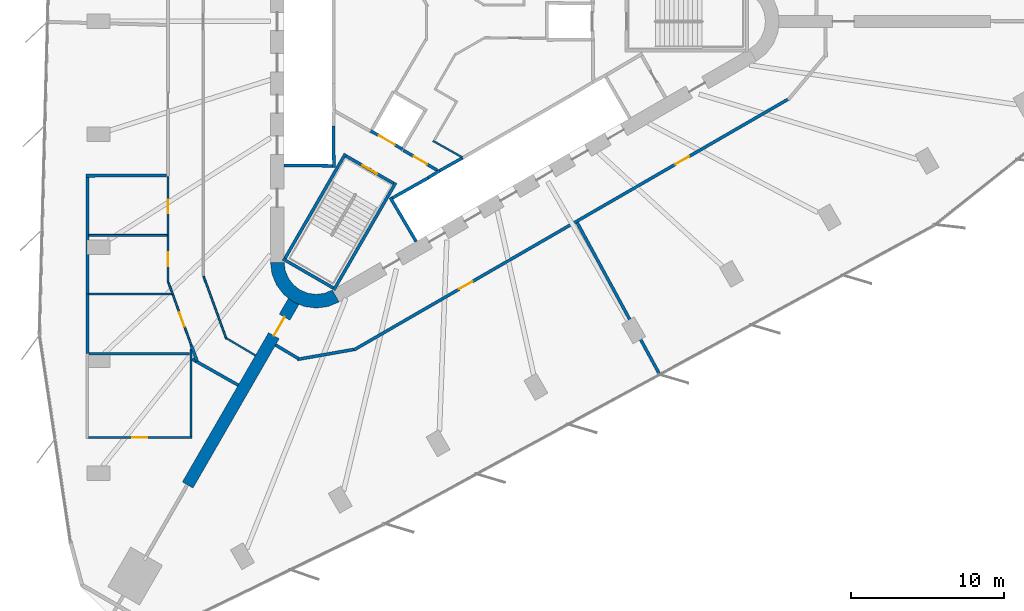
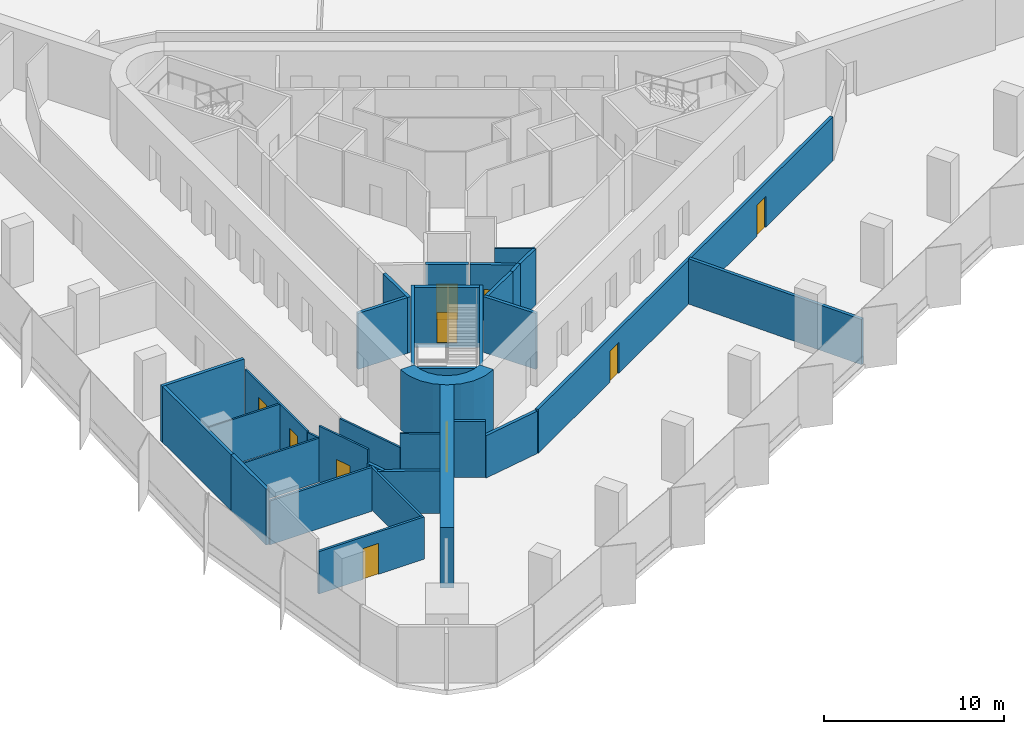
# One storey, part 8 of 13: 34 walls, 10 doors, 10 openings.
"""IFC4 building model written with IfcOpenShell, lengths in metres."""

from ifc_helpers import new_model, si_unit, direction, frame, frame_2d, origin, place, context, subcontext, project, spatial, polyline, rectangle, outline, extrude, material, layer, layer_set, type_object, element, fill, save


model = new_model("IFC4")

# Units and contexts
model_context = context("Model", 3, precision=1e-05, world=origin(), true_north=direction((0.0, 1.0)))
body_context = subcontext(model_context, "Body", "Model", "MODEL_VIEW")
ifc_project = project(units=[si_unit("LENGTHUNIT", "METRE"), si_unit("AREAUNIT", "SQUARE_METRE"), si_unit("VOLUMEUNIT", "CUBIC_METRE"), si_unit("PLANEANGLEUNIT", "RADIAN"), si_unit("MASSUNIT", "GRAM", prefix="KILO")], contexts=[model_context])

# Site, building, storey
site_placement = place(None, origin())
site = spatial("IfcSite", under=ifc_project, at=site_placement, CompositionType="ELEMENT")
building_placement = place(site_placement, origin())
building = spatial("IfcBuilding", under=site, at=building_placement, Name="Tanit Gate Tower", CompositionType="ELEMENT")
storey_placement = place(building_placement, frame((0.0, 0.0, 57.800048828125)))
storey = spatial("IfcBuildingStorey", under=building, at=storey_placement, Name="L10", CompositionType="ELEMENT", Elevation=57.800048828125)

# Wall, opening, door
ifc_material_1 = material(Name="Concrete C60/75", Category="concrete")
ifc_layer_1 = layer(ifc_material_1, 0.800048828125)
ifc_layer_set_1 = layer_set([ifc_layer_1], Name="BUTTRESS FIN 800 C60/75")
wall_type_1 = type_object("IfcWallType", Name="BUTTRESS FIN 800 C60/75", PredefinedType="SHEAR", material=ifc_layer_set_1)
wall_1_placement = place(storey_placement, frame((-10.574951171875, -18.31640625, 0.0), z_axis=(0.0, 0.0, 1.0), x_axis=(-0.500001010139, -0.866024820579, 0.0)))
wall_1 = element("IfcWall", 1, at=wall_1_placement, inside=storey, type_object=wall_type_1, Name="BUTTRESS FIN", PredefinedType="SHEAR", context=body_context, shape_type="SweptSolid", body=[
    extrude(rectangle(XDim=13.8837890625, YDim=0.800048828125, at=frame_2d((6.94189453125, 0.0))), origin(), (0.0, 0.0, 1.0), 4.099853515625),
])
opening_1_placement = place(wall_1_placement, frame((1.199951171875, 0.0, 0.0)))
opening_1 = element("IfcOpeningElement", 2, at=opening_1_placement, cuts=wall_1, Name="Opening P14-S01-F-SW-1", PredefinedType="OPENING", context=body_context, shape_type="SweptSolid", body=[
    extrude(rectangle(XDim=1.39990234375, YDim=2.39990234375, at=frame_2d((0.699951171875, 1.199951171875))), frame((0.0, 0.41015625, 0.0), z_axis=(0.0, -1.0, 0.0), x_axis=(1.0, 0.0, 0.0)), (0.0, 0.0, 1.0), 0.820068359375),
])
ifc_material_2 = material(Name="Timber door leaf", Category="wood")
door_type_1 = type_object("IfcDoorType", Name="INT-DOOR-FIN-PAIR-1400", OperationType="NOTDEFINED", PredefinedType="NOTDEFINED", material=ifc_material_2)
door_1_placement = place(opening_1_placement, origin())
door_1 = element("IfcDoor", 3, at=door_1_placement, inside=storey, type_object=door_type_1, Name="Door P14-S01-F-SW-1", OperationType="DOUBLE_DOOR_SINGLE_SWING", OverallHeight=2.39990234375, OverallWidth=1.39990234375, PredefinedType="NOTDEFINED", context=body_context, shape_type="SweptSolid", body=[
    extrude(rectangle(XDim=1.39990234375, YDim=2.39990234375, at=frame_2d((0.699951171875, 1.199951171875))), frame((0.0, 0.02490234375, 0.0), z_axis=(0.0, -1.0, 0.0), x_axis=(1.0, 0.0, 0.0)), (0.0, 0.0, 1.0), 0.050048828125),
])
fill(opening_1, door_1)

# Wall
ifc_material_3 = material(Name="Concrete C60/75", Category="concrete")
ifc_layer_2 = layer(ifc_material_3, 0.89990234375)
ifc_layer_set_2 = layer_set([ifc_layer_2], Name="CORE WALL 900 C60/75")
wall_type_2 = type_object("IfcWallType", Name="CORE WALL 900 C60/75", PredefinedType="SHEAR", material=ifc_layer_set_2)
wall_2_placement = place(storey_placement, origin())
element("IfcWall", 4, at=wall_2_placement, inside=storey, type_object=wall_type_2, Name="CORE WALL CORNER", PredefinedType="SHEAR", context=body_context, shape_type="SweptSolid", body=[
    extrude(outline(polyline([(-12.10009765625, -15.76171875), (-11.997802734375, -16.5380859375), (-11.697998046875, -17.26171875), (-11.22119140625, -17.883056640625), (-10.60009765625, -18.359619140625), (-9.87646484375, -18.659423828125), (-9.10009765625, -18.76171875), (-8.323486328125, -18.659423828125), (-7.60009765625, -18.359619140625), (-8.050048828125, -17.580322265625), (-8.556396484375, -17.7900390625), (-9.10009765625, -17.86181640625), (-9.6435546875, -17.7900390625), (-10.14990234375, -17.580322265625), (-10.5849609375, -17.24658203125), (-10.918701171875, -16.811767578125), (-11.12841796875, -16.30517578125), (-11.199951171875, -15.76171875), (-12.10009765625, -15.76171875)])), origin(), (0.0, 0.0, 1.0), 4.099853515625),
])

# Wall, opening, door
ifc_material_4 = material(Name="Fire-rated gypsum board partition")
ifc_layer_3 = layer(ifc_material_4, 0.199951171875)
ifc_layer_set_3 = layer_set([ifc_layer_3], Name="INT-WALL-COMPARTMENT")
wall_type_3 = type_object("IfcWallType", Name="INT-WALL-COMPARTMENT", PredefinedType="PARTITIONING", material=ifc_layer_set_3)
wall_3_placement = place(storey_placement, frame((-3.400634765625, -8.43017578125, 0.0), z_axis=(0.0, 0.0, 1.0), x_axis=(0.860598681535, -0.509283721849, 0.0)))
wall_3 = element("IfcWall", 5, at=wall_3_placement, inside=storey, type_object=wall_type_3, Name="Wall Compartment W064", PredefinedType="PARTITIONING", context=body_context, shape_type="SweptSolid", body=[
    extrude(rectangle(XDim=2.5810546875, YDim=0.199951171875, at=frame_2d((1.29052734375, 0.0))), origin(), (0.0, 0.0, 1.0), 3.800048828125),
])
opening_2_placement = place(wall_3_placement, frame((0.79052734375, 0.0, 0.0)))
opening_2 = element("IfcOpeningElement", 6, at=opening_2_placement, cuts=wall_3, Name="Opening F10-S01-08", PredefinedType="OPENING", context=body_context, shape_type="SweptSolid", body=[
    extrude(rectangle(XDim=1.0, YDim=2.10009765625, at=frame_2d((0.5, 1.050048828125))), frame((0.0, 0.10986328125, 0.0), z_axis=(0.0, -1.0, 0.0), x_axis=(1.0, 0.0, 0.0)), (0.0, 0.0, 1.0), 0.219970703125),
])
ifc_material_5 = material(Name="Fire-rated steel door leaf", Category="steel")
door_type_2 = type_object("IfcDoorType", Name="INT-DOOR-FIRE-1000", OperationType="NOTDEFINED", PredefinedType="USERDEFINED", material=ifc_material_5)
door_2_placement = place(opening_2_placement, origin())
door_2 = element("IfcDoor", 7, at=door_2_placement, inside=storey, type_object=door_type_2, Name="Door F10-S01-08", ObjectType="FIRE DOOR", OperationType="SINGLE_SWING_LEFT", OverallHeight=2.10009765625, OverallWidth=1.0, PredefinedType="USERDEFINED", context=body_context, shape_type="SweptSolid", body=[
    extrude(rectangle(XDim=1.0, YDim=2.10009765625, at=frame_2d((0.5, 1.050048828125))), frame((0.0, 0.02490234375, 0.0), z_axis=(0.0, -1.0, 0.0), x_axis=(1.0, 0.0, 0.0)), (0.0, 0.0, 1.0), 0.050048828125),
])
fill(opening_2, door_2)

# Walls
wall_4_placement = place(storey_placement, frame((-17.22509765625, -22.09765625, 0.0), z_axis=(0.0, 0.0, 1.0), x_axis=(0.870318902943, -0.492488585838, 0.0)))
element("IfcWall", 8, at=wall_4_placement, inside=storey, type_object=wall_type_3, Name="Wall Compartment W092", PredefinedType="PARTITIONING", context=body_context, shape_type="SweptSolid", body=[
    extrude(rectangle(XDim=3.468505859375, YDim=0.199951171875, at=frame_2d((1.734375, 0.0))), origin(), (0.0, 0.0, 1.0), 2.8798828125),
])
wall_5_placement = place(storey_placement, frame((-17.28759765625, -21.177734375, 0.0), z_axis=(0.0, 0.0, 1.0), x_axis=(0.342070628624, -0.939674244104, 0.0)))
element("IfcWall", 9, at=wall_5_placement, inside=storey, type_object=wall_type_3, Name="Wall Compartment W093", PredefinedType="PARTITIONING", context=body_context, shape_type="SweptSolid", body=[
    extrude(rectangle(XDim=1.136962890625, YDim=0.199951171875, at=frame_2d((0.568359375, 0.0))), origin(), (0.0, 0.0, 1.0), 2.8798828125),
])

# Wall, openings, doors
wall_6_placement = place(storey_placement, frame((-6.64404296875, -21.5029296875, 0.0), z_axis=(0.0, 0.0, 1.0), x_axis=(0.866025615729, 0.499999632902, 0.0)))
wall_6 = element("IfcWall", 10, at=wall_6_placement, inside=storey, type_object=wall_type_3, Name="Wall Compartment W110", PredefinedType="PARTITIONING", context=body_context, shape_type="SweptSolid", body=[
    extrude(rectangle(XDim=32.810546875, YDim=0.199951171875, at=frame_2d((16.4052734375, 0.0))), origin(), (0.0, 0.0, 1.0), 2.97998046875),
])
opening_3_placement = place(wall_6_placement, frame((24.320068359375, 0.0, 0.0)))
opening_3 = element("IfcOpeningElement", 11, at=opening_3_placement, cuts=wall_6, Name="Opening F10-S01-24", PredefinedType="OPENING", context=body_context, shape_type="SweptSolid", body=[
    extrude(rectangle(XDim=1.0, YDim=2.10009765625, at=frame_2d((0.5, 1.050048828125))), frame((0.0, 0.10986328125, 0.0), z_axis=(0.0, -1.0, 0.0), x_axis=(1.0, 0.0, 0.0)), (0.0, 0.0, 1.0), 0.219970703125),
])
opening_4_placement = place(wall_6_placement, frame((7.96484375, 0.0, 0.0)))
opening_4 = element("IfcOpeningElement", 12, at=opening_4_placement, cuts=wall_6, Name="Opening F10-S01-25", PredefinedType="OPENING", context=body_context, shape_type="SweptSolid", body=[
    extrude(rectangle(XDim=1.0, YDim=2.10009765625, at=frame_2d((0.5, 1.050048828125))), frame((0.0, 0.10986328125, 0.0), z_axis=(0.0, -1.0, 0.0), x_axis=(1.0, 0.0, 0.0)), (0.0, 0.0, 1.0), 0.219970703125),
])
door_3_placement = place(opening_3_placement, origin())
door_3 = element("IfcDoor", 13, at=door_3_placement, inside=storey, type_object=door_type_2, Name="Door F10-S01-24", ObjectType="FIRE DOOR", OperationType="SINGLE_SWING_RIGHT", OverallHeight=2.10009765625, OverallWidth=1.0, PredefinedType="USERDEFINED", context=body_context, shape_type="SweptSolid", body=[
    extrude(rectangle(XDim=1.0, YDim=2.10009765625, at=frame_2d((0.5, 1.050048828125))), frame((0.0, 0.02490234375, 0.0), z_axis=(0.0, -1.0, 0.0), x_axis=(1.0, 0.0, 0.0)), (0.0, 0.0, 1.0), 0.050048828125),
])
fill(opening_3, door_3)
door_4_placement = place(opening_4_placement, origin())
door_4 = element("IfcDoor", 14, at=door_4_placement, inside=storey, type_object=door_type_2, Name="Door F10-S01-25", ObjectType="FIRE DOOR", OperationType="SINGLE_SWING_LEFT", OverallHeight=2.10009765625, OverallWidth=1.0, PredefinedType="USERDEFINED", context=body_context, shape_type="SweptSolid", body=[
    extrude(rectangle(XDim=1.0, YDim=2.10009765625, at=frame_2d((0.5, 1.050048828125))), frame((0.0, 0.02490234375, 0.0), z_axis=(0.0, -1.0, 0.0), x_axis=(1.0, 0.0, 0.0)), (0.0, 0.0, 1.0), 0.050048828125),
])
fill(opening_4, door_4)

# Walls
wall_7_placement = place(storey_placement, frame((-10.33154296875, -22.118408203125, 0.0), z_axis=(0.0, 0.0, 1.0), x_axis=(0.984805281118, 0.173662195893, 0.0)))
element("IfcWall", 15, at=wall_7_placement, inside=storey, type_object=wall_type_3, Name="Wall Compartment W111", PredefinedType="PARTITIONING", context=body_context, shape_type="SweptSolid", body=[
    extrude(rectangle(XDim=3.732421875, YDim=0.199951171875, at=frame_2d((1.8662109375, 0.0))), origin(), (0.0, 0.0, 1.0), 2.8798828125),
])
wall_8_placement = place(storey_placement, frame((-11.764404296875, -21.176513671875, 0.0), z_axis=(0.0, 0.0, 1.0), x_axis=(0.85911197479, -0.511787665709, 0.0)))
element("IfcWall", 16, at=wall_8_placement, inside=storey, type_object=wall_type_3, Name="Wall Compartment W112", PredefinedType="PARTITIONING", context=body_context, shape_type="SweptSolid", body=[
    extrude(rectangle(XDim=1.751708984375, YDim=0.199951171875, at=frame_2d((0.8759765625, 0.0))), origin(), (0.0, 0.0, 1.0), 3.800048828125),
])
wall_9_placement = place(storey_placement, frame((-18.89990234375, -10.070556640625, 0.0), z_axis=(0.0, 0.0, 1.0), x_axis=(-0.999983827501, -0.005687243297, 0.0)))
element("IfcWall", 17, at=wall_9_placement, inside=storey, type_object=wall_type_3, Name="Wall Compartment W116", PredefinedType="PARTITIONING", context=body_context, shape_type="SweptSolid", body=[
    extrude(rectangle(XDim=5.280029296875, YDim=0.199951171875, at=frame_2d((2.64013671875, 0.0))), origin(), (0.0, 0.0, 1.0), 3.800048828125),
])
wall_10_placement = place(storey_placement, frame((-24.080078125, -21.733154296875, 0.0), z_axis=(0.0, 0.0, 1.0), x_axis=(0.0, 1.0, 0.0)))
element("IfcWall", 18, at=wall_10_placement, inside=storey, type_object=wall_type_3, Name="Wall Compartment W119", PredefinedType="PARTITIONING", context=body_context, shape_type="SweptSolid", body=[
    extrude(rectangle(XDim=3.896484375, YDim=0.199951171875, at=frame_2d((1.9482421875, 0.0))), origin(), (0.0, 0.0, 1.0), 3.800048828125),
])
wall_11_placement = place(storey_placement, frame((-24.080078125, -17.836669921875, 0.0), z_axis=(0.0, 0.0, 1.0), x_axis=(0.0, 1.0, 0.0)))
element("IfcWall", 19, at=wall_11_placement, inside=storey, type_object=wall_type_3, Name="Wall Compartment W118", PredefinedType="PARTITIONING", context=body_context, shape_type="SweptSolid", body=[
    extrude(rectangle(XDim=7.63671875, YDim=0.199951171875, at=frame_2d((3.818359375, 0.0))), origin(), (0.0, 0.0, 1.0), 3.800048828125),
])
wall_12_placement = place(storey_placement, frame((7.978759765625, -13.17578125, 0.0), z_axis=(0.0, 0.0, 1.0), x_axis=(0.477371038841, -0.878701821596, 0.0)))
element("IfcWall", 20, at=wall_12_placement, inside=storey, type_object=wall_type_3, Name="Wall Compartment W129", PredefinedType="PARTITIONING", context=body_context, shape_type="SweptSolid", body=[
    extrude(rectangle(XDim=11.288818359375, YDim=0.199951171875, at=frame_2d((5.64453125, 0.0))), origin(), (0.0, 0.0, 1.0), 3.079833984375),
])
ifc_material_6 = material(Name="Gypsum board partition")
ifc_layer_4 = layer(ifc_material_6, 0.1201171875)
ifc_layer_set_4 = layer_set([ifc_layer_4], Name="INT-WALL-PARTITION")
wall_type_4 = type_object("IfcWallType", Name="INT-WALL-PARTITION", PredefinedType="PARTITIONING", material=ifc_layer_set_4)
wall_13_placement = place(storey_placement, frame((-1.464111328125, -7.81591796875, 0.0), z_axis=(0.0, 0.0, 1.0), x_axis=(0.871880202732, -0.489719217597, 0.0)))
element("IfcWall", 21, at=wall_13_placement, inside=storey, type_object=wall_type_4, Name="Wall Partition W068", PredefinedType="PARTITIONING", context=body_context, shape_type="SweptSolid", body=[
    extrude(rectangle(XDim=2.224365234375, YDim=0.1201171875, at=frame_2d((1.1123046875, 0.0))), origin(), (0.0, 0.0, 1.0), 3.800048828125),
])
wall_14_placement = place(storey_placement, frame((-16.4794921875, -16.67333984375, 0.0), z_axis=(0.0, 0.0, 1.0), x_axis=(0.342025144217, -0.939690800595, 0.0)))
element("IfcWall", 22, at=wall_14_placement, inside=storey, type_object=wall_type_4, Name="Wall Partition W089", PredefinedType="PARTITIONING", context=body_context, shape_type="SweptSolid", body=[
    extrude(rectangle(XDim=4.377685546875, YDim=0.1201171875, at=frame_2d((2.18896484375, 0.0))), origin(), (0.0, 0.0, 1.0), 2.8798828125),
])
wall_15_placement = place(storey_placement, frame((-14.9833984375, -20.732421875, 0.0), z_axis=(0.0, 0.0, 1.0), x_axis=(0.860268204019, -0.509841756973, 0.0)))
element("IfcWall", 23, at=wall_15_placement, inside=storey, type_object=wall_type_4, Name="Wall Partition W090", PredefinedType="PARTITIONING", context=body_context, shape_type="SweptSolid", body=[
    extrude(rectangle(XDim=2.2099609375, YDim=0.1201171875, at=frame_2d((1.10498046875, 0.0))), origin(), (0.0, 0.0, 1.0), 3.800048828125),
])

# Wall, openings, doors
wall_16_placement = place(storey_placement, frame((-18.800048828125, -10.169921875, 0.0), z_axis=(0.0, 0.0, 1.0), x_axis=(0.0, -1.0, 0.0)))
wall_16 = element("IfcWall", 24, at=wall_16_placement, inside=storey, type_object=wall_type_4, Name="Wall Partition W097", PredefinedType="PARTITIONING", context=body_context, shape_type="SweptSolid", body=[
    extrude(rectangle(XDim=6.91259765625, YDim=0.1201171875, at=frame_2d((3.456298828125, 0.0))), origin(), (0.0, 0.0, 1.0), 3.079833984375),
])
opening_5_placement = place(wall_16_placement, frame((1.495849609375, 0.0, 0.0)))
opening_5 = element("IfcOpeningElement", 25, at=opening_5_placement, cuts=wall_16, Name="Opening D09-S01-16", PredefinedType="OPENING", context=body_context, shape_type="SweptSolid", body=[
    extrude(rectangle(XDim=0.89990234375, YDim=2.10009765625, at=frame_2d((0.449951171875, 1.050048828125))), frame((0.0, 0.070068359375, 0.0), z_axis=(0.0, -1.0, 0.0), x_axis=(1.0, 0.0, 0.0)), (0.0, 0.0, 1.0), 0.14013671875),
])
opening_6_placement = place(wall_16_placement, frame((4.9521484375, 0.0, 0.0)))
opening_6 = element("IfcOpeningElement", 26, at=opening_6_placement, cuts=wall_16, Name="Opening D09-S01-17", PredefinedType="OPENING", context=body_context, shape_type="SweptSolid", body=[
    extrude(rectangle(XDim=0.89990234375, YDim=2.10009765625, at=frame_2d((0.449951171875, 1.050048828125))), frame((0.0, 0.070068359375, 0.0), z_axis=(0.0, -1.0, 0.0), x_axis=(1.0, 0.0, 0.0)), (0.0, 0.0, 1.0), 0.14013671875),
])
ifc_material_7 = material(Name="Timber door leaf", Category="wood")
door_type_3 = type_object("IfcDoorType", Name="INT-DOOR-SINGLE-900", OperationType="NOTDEFINED", PredefinedType="NOTDEFINED", material=ifc_material_7)
door_5_placement = place(opening_5_placement, origin())
door_5 = element("IfcDoor", 27, at=door_5_placement, inside=storey, type_object=door_type_3, Name="Door D09-S01-16", OperationType="SINGLE_SWING_LEFT", OverallHeight=2.10009765625, OverallWidth=0.89990234375, PredefinedType="NOTDEFINED", context=body_context, shape_type="SweptSolid", body=[
    extrude(rectangle(XDim=0.89990234375, YDim=2.10009765625, at=frame_2d((0.449951171875, 1.050048828125))), frame((0.0, 0.02490234375, 0.0), z_axis=(0.0, -1.0, 0.0), x_axis=(1.0, 0.0, 0.0)), (0.0, 0.0, 1.0), 0.050048828125),
])
fill(opening_5, door_5)
door_6_placement = place(opening_6_placement, origin())
door_6 = element("IfcDoor", 28, at=door_6_placement, inside=storey, type_object=door_type_3, Name="Door D09-S01-17", OperationType="SINGLE_SWING_LEFT", OverallHeight=2.10009765625, OverallWidth=0.89990234375, PredefinedType="NOTDEFINED", context=body_context, shape_type="SweptSolid", body=[
    extrude(rectangle(XDim=0.89990234375, YDim=2.10009765625, at=frame_2d((0.449951171875, 1.050048828125))), frame((0.0, 0.02490234375, 0.0), z_axis=(0.0, -1.0, 0.0), x_axis=(1.0, 0.0, 0.0)), (0.0, 0.0, 1.0), 0.050048828125),
])
fill(opening_6, door_6)

# Wall
wall_17_placement = place(storey_placement, frame((-18.779541015625, -17.078857421875, 0.0), z_axis=(0.0, 0.0, 1.0), x_axis=(0.342127231308, -0.939653637037, 0.0)))
element("IfcWall", 29, at=wall_17_placement, inside=storey, type_object=wall_type_4, Name="Wall Partition W098", PredefinedType="PARTITIONING", context=body_context, shape_type="SweptSolid", body=[
    extrude(rectangle(XDim=0.81640625, YDim=0.1201171875, at=frame_2d((0.408203125, 0.0))), origin(), (0.0, 0.0, 1.0), 2.97998046875),
])

# Wall, opening, door
wall_18_placement = place(storey_placement, frame((-18.500244140625, -17.845947265625, 0.0), z_axis=(0.0, 0.0, 1.0), x_axis=(0.342013954414, -0.939694873342, 0.0)))
wall_18 = element("IfcWall", 30, at=wall_18_placement, inside=storey, type_object=wall_type_4, Name="Wall Partition W100", PredefinedType="PARTITIONING", context=body_context, shape_type="SweptSolid", body=[
    extrude(rectangle(XDim=3.545654296875, YDim=0.1201171875, at=frame_2d((1.77294921875, 0.0))), origin(), (0.0, 0.0, 1.0), 3.800048828125),
])
opening_7_placement = place(wall_18_placement, frame((1.272705078125, 0.0, 0.0)))
opening_7 = element("IfcOpeningElement", 31, at=opening_7_placement, cuts=wall_18, Name="Opening D10-S01-18", PredefinedType="OPENING", context=body_context, shape_type="SweptSolid", body=[
    extrude(rectangle(XDim=1.0, YDim=2.10009765625, at=frame_2d((0.5, 1.050048828125))), frame((0.0, 0.070068359375, 0.0), z_axis=(0.0, -1.0, 0.0), x_axis=(1.0, 0.0, 0.0)), (0.0, 0.0, 1.0), 0.14013671875),
])
ifc_material_8 = material(Name="Timber door leaf", Category="wood")
door_type_4 = type_object("IfcDoorType", Name="INT-DOOR-SINGLE-1000", OperationType="NOTDEFINED", PredefinedType="NOTDEFINED", material=ifc_material_8)
door_7_placement = place(opening_7_placement, origin())
door_7 = element("IfcDoor", 32, at=door_7_placement, inside=storey, type_object=door_type_4, Name="Door D10-S01-18", OperationType="SINGLE_SWING_LEFT", OverallHeight=2.10009765625, OverallWidth=1.0, PredefinedType="NOTDEFINED", context=body_context, shape_type="SweptSolid", body=[
    extrude(rectangle(XDim=1.0, YDim=2.10009765625, at=frame_2d((0.5, 1.050048828125))), frame((0.0, 0.02490234375, 0.0), z_axis=(0.0, -1.0, 0.0), x_axis=(1.0, 0.0, 0.0)), (0.0, 0.0, 1.0), 0.050048828125),
])
fill(opening_7, door_7)

# Walls
wall_19_placement = place(storey_placement, frame((-23.97998046875, -14.001953125, 0.0), z_axis=(0.0, 0.0, 1.0), x_axis=(1.0, 0.0, 0.0)))
element("IfcWall", 33, at=wall_19_placement, inside=storey, type_object=wall_type_4, Name="Wall Partition W130", PredefinedType="PARTITIONING", context=body_context, shape_type="SweptSolid", body=[
    extrude(rectangle(XDim=5.119873046875, YDim=0.1201171875, at=frame_2d((2.56005859375, 0.0))), origin(), (0.0, 0.0, 1.0), 3.079833984375),
])
wall_20_placement = place(storey_placement, frame((-18.5673828125, -17.836669921875, 0.0), z_axis=(0.0, 0.0, 1.0), x_axis=(-1.0, 0.0, 0.0)))
element("IfcWall", 34, at=wall_20_placement, inside=storey, type_object=wall_type_4, Name="Wall Partition W131", PredefinedType="PARTITIONING", context=body_context, shape_type="SweptSolid", body=[
    extrude(rectangle(XDim=5.41259765625, YDim=0.1201171875, at=frame_2d((2.706298828125, 0.0))), origin(), (0.0, 0.0, 1.0), 2.97998046875),
])

# Wall, opening, door
ifc_material_9 = material(Name="Fire-rated gypsum board partition")
ifc_layer_5 = layer(ifc_material_9, 0.14990234375)
ifc_layer_set_5 = layer_set([ifc_layer_5], Name="INT-WALL-RISER")
wall_type_5 = type_object("IfcWallType", Name="INT-WALL-RISER", PredefinedType="PLUMBINGWALL", material=ifc_layer_set_5)
wall_21_placement = place(storey_placement, frame((-24.0048828125, -27.22998046875, 0.0), z_axis=(0.0, 0.0, 1.0), x_axis=(1.0, 0.0, 0.0)))
wall_21 = element("IfcWall", 35, at=wall_21_placement, inside=storey, type_object=wall_type_5, Name="Wall Riser W122", PredefinedType="PLUMBINGWALL", context=body_context, shape_type="SweptSolid", body=[
    extrude(rectangle(XDim=6.77978515625, YDim=0.14990234375, at=frame_2d((3.389892578125, 0.0))), origin(), (0.0, 0.0, 1.0), 2.8798828125),
])
opening_8_placement = place(wall_21_placement, frame((2.8525390625, 0.0, 0.0)))
opening_8 = element("IfcOpeningElement", 36, at=opening_8_placement, cuts=wall_21, Name="Opening F10-S01-19", PredefinedType="OPENING", context=body_context, shape_type="SweptSolid", body=[
    extrude(rectangle(XDim=1.0, YDim=2.10009765625, at=frame_2d((0.5, 1.050048828125))), frame((0.0, 0.0849609375, 0.0), z_axis=(0.0, -1.0, 0.0), x_axis=(1.0, 0.0, 0.0)), (0.0, 0.0, 1.0), 0.169921875),
])
door_8_placement = place(opening_8_placement, origin())
door_8 = element("IfcDoor", 37, at=door_8_placement, inside=storey, type_object=door_type_2, Name="Door F10-S01-19", ObjectType="FIRE DOOR", OperationType="SINGLE_SWING_LEFT", OverallHeight=2.10009765625, OverallWidth=1.0, PredefinedType="USERDEFINED", context=body_context, shape_type="SweptSolid", body=[
    extrude(rectangle(XDim=1.0, YDim=2.10009765625, at=frame_2d((0.5, 1.050048828125))), frame((0.0, 0.02490234375, 0.0), z_axis=(0.0, -1.0, 0.0), x_axis=(1.0, 0.0, 0.0)), (0.0, 0.0, 1.0), 0.050048828125),
])
fill(opening_8, door_8)

# Walls
wall_22_placement = place(storey_placement, frame((-17.300048828125, -27.155029296875, 0.0), z_axis=(0.0, 0.0, 1.0), x_axis=(0.0, 1.0, 0.0)))
element("IfcWall", 38, at=wall_22_placement, inside=storey, type_object=wall_type_5, Name="Wall Riser W123", PredefinedType="PLUMBINGWALL", context=body_context, shape_type="SweptSolid", body=[
    extrude(rectangle(XDim=5.718994140625, YDim=0.14990234375, at=frame_2d((2.859375, 0.0))), origin(), (0.0, 0.0, 1.0), 2.8798828125),
])
wall_23_placement = place(storey_placement, frame((-17.39990234375, -21.74072265625, 0.0), z_axis=(0.0, 0.0, 1.0), x_axis=(-1.0, 0.0, 0.0)))
element("IfcWall", 39, at=wall_23_placement, inside=storey, type_object=wall_type_5, Name="Wall Riser W132", PredefinedType="PLUMBINGWALL", context=body_context, shape_type="SweptSolid", body=[
    extrude(rectangle(XDim=6.580078125, YDim=0.14990234375, at=frame_2d((3.2900390625, 0.0))), origin(), (0.0, 0.0, 1.0), 2.97998046875),
])
ifc_material_10 = material(Name="Gypsum shaft wall system")
ifc_layer_6 = layer(ifc_material_10, 0.199951171875)
ifc_layer_set_6 = layer_set([ifc_layer_6], Name="INT-WALL-SHAFT")
wall_type_6 = type_object("IfcWallType", Name="INT-WALL-SHAFT", PredefinedType="PLUMBINGWALL", material=ifc_layer_set_6)
wall_24_placement = place(storey_placement, frame((-7.97900390625, -6.85009765625, 0.0), z_axis=(0.0, 0.0, 1.0), x_axis=(0.011121475088, -0.999938154483, 0.0)))
element("IfcWall", 40, at=wall_24_placement, inside=storey, type_object=wall_type_6, Name="Wall Shaft W011", PredefinedType="PLUMBINGWALL", context=body_context, shape_type="SweptSolid", body=[
    extrude(rectangle(XDim=2.7001953125, YDim=0.199951171875, at=frame_2d((1.35009765625, 0.0))), origin(), (0.0, 0.0, 1.0), 3.800048828125),
])
wall_25_placement = place(storey_placement, frame((-8.050048828125, -9.448974609375, 0.0), z_axis=(0.0, 0.0, 1.0), x_axis=(-0.999957467379, 0.009222983926, 0.0)))
element("IfcWall", 41, at=wall_25_placement, inside=storey, type_object=wall_type_6, Name="Wall Shaft W012", PredefinedType="PLUMBINGWALL", context=body_context, shape_type="SweptSolid", body=[
    extrude(rectangle(XDim=3.150146484375, YDim=0.199951171875, at=frame_2d((1.5751953125, 0.0))), origin(), (0.0, 0.0, 1.0), 3.800048828125),
])
wall_26_placement = place(storey_placement, frame((-2.557861328125, -14.409423828125, 0.0), z_axis=(0.0, 0.0, 1.0), x_axis=(-0.507997497166, 0.861358544901, 0.0)))
element("IfcWall", 42, at=wall_26_placement, inside=storey, type_object=wall_type_6, Name="Wall Shaft W027", PredefinedType="PLUMBINGWALL", context=body_context, shape_type="SweptSolid", body=[
    extrude(rectangle(XDim=3.350341796875, YDim=0.199951171875, at=frame_2d((1.67529296875, 0.0))), origin(), (0.0, 0.0, 1.0), 3.800048828125),
])
wall_27_placement = place(storey_placement, frame((-1.7685546875, -10.23681640625, 0.0), z_axis=(0.0, 0.0, 1.0), x_axis=(-0.871534483978, -0.490334215854, 0.0)))
element("IfcWall", 43, at=wall_27_placement, inside=storey, type_object=wall_type_6, Name="Wall Shaft W028", PredefinedType="PLUMBINGWALL", context=body_context, shape_type="SweptSolid", body=[
    extrude(rectangle(XDim=2.7001953125, YDim=0.199951171875, at=frame_2d((1.35009765625, 0.0))), origin(), (0.0, 0.0, 1.0), 3.800048828125),
])
wall_28_placement = place(storey_placement, frame((-1.02392578125, -9.77099609375, 0.0), z_axis=(0.0, 0.0, 1.0), x_axis=(-0.850348075135, -0.526220629693, 0.0)))
element("IfcWall", 44, at=wall_28_placement, inside=storey, type_object=wall_type_6, Name="Wall Shaft W029", PredefinedType="PLUMBINGWALL", context=body_context, shape_type="SweptSolid", body=[
    extrude(rectangle(XDim=0.878173828125, YDim=0.199951171875, at=frame_2d((0.43896484375, 0.0))), origin(), (0.0, 0.0, 1.0), 3.800048828125),
])
wall_29_placement = place(storey_placement, frame((-1.13037109375, -9.83154296875, 0.0), z_axis=(0.0, 0.0, 1.0), x_axis=(0.871988740738, 0.489525929882, 0.0)))
element("IfcWall", 45, at=wall_29_placement, inside=storey, type_object=wall_type_6, Name="Wall Shaft W030", PredefinedType="PLUMBINGWALL", context=body_context, shape_type="SweptSolid", body=[
    extrude(rectangle(XDim=1.8447265625, YDim=0.199951171875, at=frame_2d((0.92236328125, 0.0))), origin(), (0.0, 0.0, 1.0), 3.800048828125),
])

# Wall, opening, door
wall_30_placement = place(storey_placement, frame((-3.44580078125, -8.3681640625, 0.0), z_axis=(0.0, 0.0, 1.0), x_axis=(-0.866024647952, 0.500001309137, 0.0)))
wall_30 = element("IfcWall", 46, at=wall_30_placement, inside=storey, type_object=wall_type_6, Name="Wall Shaft W053", PredefinedType="PLUMBINGWALL", context=body_context, shape_type="SweptSolid", body=[
    extrude(rectangle(XDim=2.39990234375, YDim=0.199951171875, at=frame_2d((1.199951171875, 0.0))), origin(), (0.0, 0.0, 1.0), 3.800048828125),
])
opening_9_placement = place(wall_30_placement, frame((0.60009765625, 0.0, 0.0)))
opening_9 = element("IfcOpeningElement", 47, at=opening_9_placement, cuts=wall_30, Name="Opening LDFL3-L10", PredefinedType="OPENING", context=body_context, shape_type="SweptSolid", body=[
    extrude(rectangle(XDim=1.199951171875, YDim=2.39990234375, at=frame_2d((0.60009765625, 1.199951171875))), frame((0.0, 0.10986328125, 0.0), z_axis=(0.0, -1.0, 0.0), x_axis=(1.0, 0.0, 0.0)), (0.0, 0.0, 1.0), 0.219970703125),
])
ifc_material_11 = material(Name="Stainless steel sliding door leaf", Category="steel")
door_type_5 = type_object("IfcDoorType", Name="INT-DOOR-LANDING-1200", OperationType="NOTDEFINED", PredefinedType="USERDEFINED", material=ifc_material_11)
door_9_placement = place(opening_9_placement, origin())
door_9 = element("IfcDoor", 48, at=door_9_placement, inside=storey, type_object=door_type_5, Name="Door LDFL3-L10", ObjectType="LANDING DOOR", OperationType="SLIDING_TO_LEFT", OverallHeight=2.39990234375, OverallWidth=1.199951171875, PredefinedType="USERDEFINED", context=body_context, shape_type="SweptSolid", body=[
    extrude(rectangle(XDim=1.199951171875, YDim=2.39990234375, at=frame_2d((0.60009765625, 1.199951171875))), frame((0.0, 0.02490234375, 0.0), z_axis=(0.0, -1.0, 0.0), x_axis=(1.0, 0.0, 0.0)), (0.0, 0.0, 1.0), 0.050048828125),
])
fill(opening_9, door_9)

# Walls
ifc_material_12 = material(Name="Concrete C40/50", Category="concrete")
ifc_layer_7 = layer(ifc_material_12, 0.199951171875)
ifc_layer_set_7 = layer_set([ifc_layer_7], Name="INT-WALL-STAIR")
wall_type_7 = type_object("IfcWallType", Name="INT-WALL-STAIR", PredefinedType="SHEAR", material=ifc_layer_set_7)
wall_31_placement = place(storey_placement, frame((-3.904541015625, -10.56298828125, -0.300048828125), z_axis=(0.0, 0.0, 1.0), x_axis=(-0.500012932018, -0.866017937352, 0.0)))
element("IfcWall", 49, at=wall_31_placement, inside=storey, type_object=wall_type_7, Name="Wall Stair W049", PredefinedType="SHEAR", context=body_context, shape_type="SweptSolid", body=[
    extrude(rectangle(XDim=8.099853515625, YDim=0.199951171875, at=frame_2d((4.0498046875, 0.0))), origin(), (0.0, 0.0, 1.0), 4.10009765625),
])
wall_32_placement = place(storey_placement, frame((-11.281982421875, -15.541015625, -0.300048828125), z_axis=(0.0, 0.0, 1.0), x_axis=(0.866000483506, -0.500043160704, 0.0)))
element("IfcWall", 50, at=wall_32_placement, inside=storey, type_object=wall_type_7, Name="Wall Stair W050", PredefinedType="SHEAR", context=body_context, shape_type="SweptSolid", body=[
    extrude(rectangle(XDim=3.800048828125, YDim=0.199951171875, at=frame_2d((1.89990234375, 0.0))), origin(), (0.0, 0.0, 1.0), 4.10009765625),
])
wall_33_placement = place(storey_placement, frame((-7.195556640625, -8.662841796875, -0.300048828125), z_axis=(0.0, 0.0, 1.0), x_axis=(-0.499997992926, -0.866026562566, 0.0)))
element("IfcWall", 51, at=wall_33_placement, inside=storey, type_object=wall_type_7, Name="Wall Stair W051", PredefinedType="SHEAR", context=body_context, shape_type="SweptSolid", body=[
    extrude(rectangle(XDim=7.89990234375, YDim=0.199951171875, at=frame_2d((3.949951171875, 0.0))), origin(), (0.0, 0.0, 1.0), 4.10009765625),
])

# Wall, opening, door
wall_34_placement = place(storey_placement, frame((-4.041259765625, -10.599365234375, -0.300048828125), z_axis=(0.0, 0.0, 1.0), x_axis=(-0.866047807691, 0.499961193289, 0.0)))
wall_34 = element("IfcWall", 52, at=wall_34_placement, inside=storey, type_object=wall_type_7, Name="Wall Stair W052", PredefinedType="SHEAR", context=body_context, shape_type="SweptSolid", body=[
    extrude(rectangle(XDim=3.599853515625, YDim=0.199951171875, at=frame_2d((1.7998046875, 0.0))), origin(), (0.0, 0.0, 1.0), 4.10009765625),
])
opening_10_placement = place(wall_34_placement, frame((1.25, 0.0, 0.300048828125)))
opening_10 = element("IfcOpeningElement", 53, at=opening_10_placement, cuts=wall_34, Name="Opening S11-S01-07", PredefinedType="OPENING", context=body_context, shape_type="SweptSolid", body=[
    extrude(rectangle(XDim=1.10009765625, YDim=2.10009765625, at=frame_2d((0.550048828125, 1.050048828125))), frame((0.0, 0.10986328125, 0.0), z_axis=(0.0, -1.0, 0.0), x_axis=(1.0, 0.0, 0.0)), (0.0, 0.0, 1.0), 0.219970703125),
])
ifc_material_13 = material(Name="Timber door leaf", Category="wood")
door_type_6 = type_object("IfcDoorType", Name="INT-DOOR-STAIR-1100", OperationType="NOTDEFINED", PredefinedType="USERDEFINED", material=ifc_material_13)
door_10_placement = place(opening_10_placement, origin())
door_10 = element("IfcDoor", 54, at=door_10_placement, inside=storey, type_object=door_type_6, Name="Door S11-S01-07", ObjectType="FIRE DOOR", OperationType="SINGLE_SWING_RIGHT", OverallHeight=2.10009765625, OverallWidth=1.10009765625, PredefinedType="USERDEFINED", context=body_context, shape_type="SweptSolid", body=[
    extrude(rectangle(XDim=1.10009765625, YDim=2.10009765625, at=frame_2d((0.550048828125, 1.050048828125))), frame((0.0, 0.02490234375, 0.0), z_axis=(0.0, -1.0, 0.0), x_axis=(1.0, 0.0, 0.0)), (0.0, 0.0, 1.0), 0.050048828125),
])
fill(opening_10, door_10)

save(model, "model.ifc")
